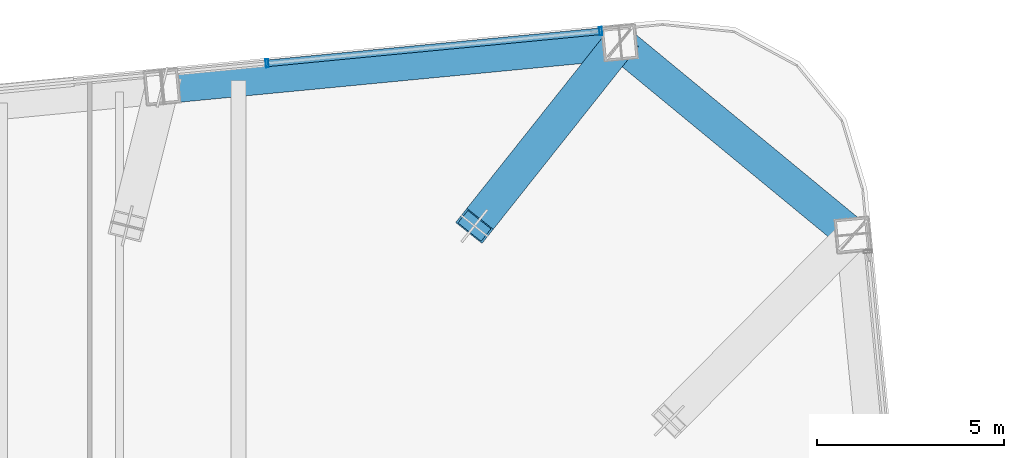
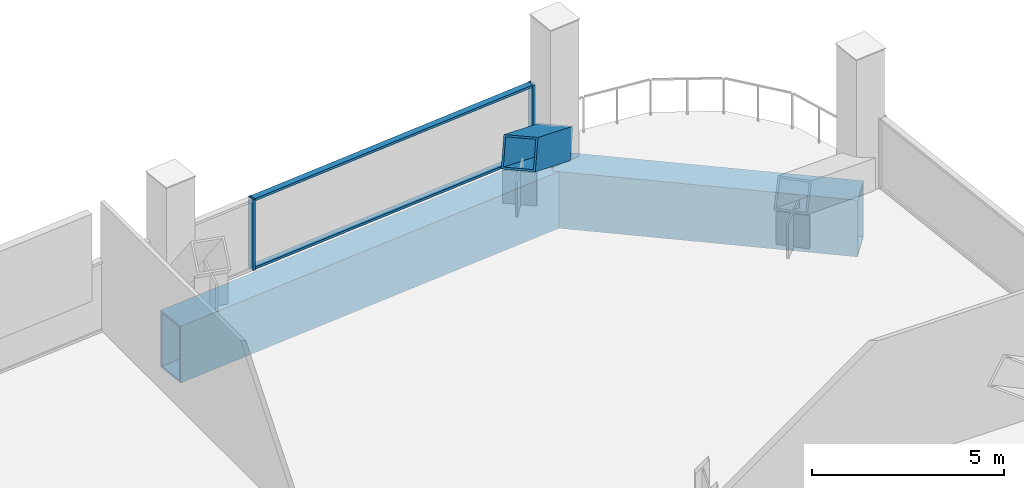
# One storey, part 20 of 30: 5 members, 2 beams, 1 element without a shape of its own.
"""IFC4 building model written with IfcOpenShell, lengths in metres."""

from ifc_helpers import new_model, si_unit, direction, frame, origin, origin_2d, place, context, subcontext, project, spatial, hollow_rectangle, extrude, material, layer, layer_set, material_profile, profile_set, type_object, element, aggregate, save


model = new_model("IFC4")

# Units and contexts
model_context = context("Model", 3, precision=1e-05, world=origin(), true_north=direction((0.0, 1.0)))
body_context = subcontext(model_context, "Body", "Model", "MODEL_VIEW")
ifc_project = project(units=[si_unit("LENGTHUNIT", "METRE"), si_unit("AREAUNIT", "SQUARE_METRE"), si_unit("VOLUMEUNIT", "CUBIC_METRE"), si_unit("PLANEANGLEUNIT", "RADIAN"), si_unit("MASSUNIT", "GRAM", prefix="KILO")], contexts=[model_context])

# Site, building, storey
site_placement = place(None, origin())
site = spatial("IfcSite", under=ifc_project, at=site_placement, CompositionType="ELEMENT")
building_placement = place(site_placement, origin())
building = spatial("IfcBuilding", under=site, at=building_placement, Name="Qhalaya Broadcast Tower", CompositionType="ELEMENT")
storey_placement = place(building_placement, frame((0.0, 0.0, 96.89990234375)))
storey = spatial("IfcBuildingStorey", under=building, at=storey_placement, Name="L28", CompositionType="ELEMENT", Elevation=96.89990234375)

# Beams
ifc_material_1 = material(Name="Structural Steel ASTM A572 Grade 50", Category="steel")
ifc_material_profile_1 = material_profile(ifc_material_1, hollow_rectangle(XDim=0.89990234375, YDim=1.800048828125, WallThickness=0.06005859375, at=origin_2d()), Name="BOX 900x1800x60")
ifc_profile_set_1 = profile_set([ifc_material_profile_1], Name="Structural Steel ASTM A572 Grade 50")
beam_type = type_object("IfcBeamType", Name="Block Cantilever Transfer Box Girder TG1", PredefinedType="USERDEFINED", material=ifc_profile_set_1)
beam_1_placement = place(storey_placement, frame((25.765380859375, 24.165283203125, -1.119873046875), z_axis=(-0.771633771695, 0.636067073806, 0.0), x_axis=(-0.636067073806, -0.771633771695, 0.0)))
element("IfcBeam", 1, at=beam_1_placement, inside=storey, type_object=beam_type, Name="L28 TG1 L28-SPR-08", ObjectType="GIRDER", PredefinedType="USERDEFINED", context=body_context, shape_type="SweptSolid", body=[
    extrude(hollow_rectangle(XDim=0.89990234375, YDim=1.800048828125, WallThickness=0.06005859375, at=origin_2d()), origin(), (0.0, 0.0, 1.0), 8.060791015625),
])
beam_2_placement = place(storey_placement, frame((19.54541015625, 29.29248046875, -1.119873046875), z_axis=(-0.995397535354, -0.095831866369, 0.0), x_axis=(0.095831866369, -0.995397535354, 0.0)))
element("IfcBeam", 2, at=beam_2_placement, inside=storey, type_object=beam_type, Name="L28 TG1 L28-SPR-09", ObjectType="GIRDER", PredefinedType="USERDEFINED", context=body_context, shape_type="SweptSolid", body=[
    extrude(hollow_rectangle(XDim=0.89990234375, YDim=1.800048828125, WallThickness=0.06005859375, at=origin_2d()), origin(), (0.0, 0.0, 1.0), 12.2666015625),
])

# Member
ifc_material_profile_2 = material_profile(ifc_material_1, hollow_rectangle(XDim=0.89990234375, YDim=0.89990234375, WallThickness=0.054931640625, at=origin_2d()), Name="BOX 900x900x55")
ifc_profile_set_2 = profile_set([ifc_material_profile_2], Name="Structural Steel ASTM A572 Grade 50")
member_type_1 = type_object("IfcMemberType", Name="Heavy Exoskeleton Transfer Strut RK1", PredefinedType="BRACE", material=ifc_profile_set_2)
member_1_placement = place(storey_placement, frame((19.54541015625, 29.29248046875, 0.389892578125), z_axis=(-0.524759694602, -0.661123165702, 0.53623075508), x_axis=(0.783254998289, -0.621700577171, 0.0)))
element("IfcMember", 3, at=member_1_placement, inside=storey, type_object=member_type_1, Name="L28 Inclined Exoskeleton Transfer Strut 09", PredefinedType="BRACE", context=body_context, shape_type="SweptSolid", body=[
    extrude(hollow_rectangle(XDim=0.89990234375, YDim=0.89990234375, WallThickness=0.054931640625, at=origin_2d()), origin(), (0.0, 0.0, 1.0), 7.38525390625),
])

# Curtain wall, members
ifc_material_2 = material(Name="Fired Architectural Terracotta", Category="masonry")
ifc_layer = layer(ifc_material_2, 0.219970703125, Name="Fired Architectural Terracotta")
ifc_layer_set = layer_set([ifc_layer], Name="Fired Architectural Terracotta")
curtain_wall_type = type_object("IfcCurtainWallType", Name="Block-Cap Unitised Terracotta Spandrel Wall CW-07", PredefinedType="NOTDEFINED", material=ifc_layer_set)
curtain_wall_placement = place(storey_placement, origin())
curtain_wall = element("IfcCurtainWall", 4, at=curtain_wall_placement, inside=storey, type_object=curtain_wall_type, Name="L28 Unitised Curtain Wall L28-CW-N", PredefinedType="NOTDEFINED")
ifc_material_3 = material(Name="Anodised Aluminium 6063-T6", Category="aluminium")
ifc_material_profile_3 = material_profile(ifc_material_3, hollow_rectangle(XDim=0.074951171875, YDim=0.219970703125, WallThickness=0.00390625, at=origin_2d()), Name="ALU-MUL 75x220x4")
ifc_profile_set_3 = profile_set([ifc_material_profile_3], Name="Anodised Aluminium 6063-T6")
member_type_2 = type_object("IfcMemberType", Name="Unitised Curtain-Wall Mullion M01", PredefinedType="MULLION", material=ifc_profile_set_3)
member_2_placement = place(storey_placement, frame((10.13525390625, 28.748291015625, 0.0), z_axis=(0.0, 0.0, 1.0), x_axis=(0.995396096278, 0.095846812756, 0.0)))
member_2 = element("IfcMember", 5, at=member_2_placement, type_object=member_type_2, Name="CW-07 mullion 4", PredefinedType="MULLION", context=body_context, shape_type="SweptSolid", body=[
    extrude(hollow_rectangle(XDim=0.074951171875, YDim=0.219970703125, WallThickness=0.00390625, at=origin_2d()), origin(), (0.0, 0.0, 1.0), 2.25),
])
member_3_placement = place(storey_placement, frame((19.03759765625, 29.60546875, 0.0), z_axis=(0.0, 0.0, 1.0), x_axis=(0.995396096278, 0.095846812756, 0.0)))
member_3 = element("IfcMember", 6, at=member_3_placement, type_object=member_type_2, Name="CW-07 mullion 5", PredefinedType="MULLION", context=body_context, shape_type="SweptSolid", body=[
    extrude(hollow_rectangle(XDim=0.074951171875, YDim=0.219970703125, WallThickness=0.00390625, at=origin_2d()), origin(), (0.0, 0.0, 1.0), 2.25),
])
ifc_material_profile_4 = material_profile(ifc_material_3, hollow_rectangle(XDim=0.074951171875, YDim=0.179931640625, WallThickness=0.00390625, at=origin_2d()), Name="ALU-TRN 75x180x4")
ifc_profile_set_4 = profile_set([ifc_material_profile_4], Name="Anodised Aluminium 6063-T6")
member_type_3 = type_object("IfcMemberType", Name="Unitised Curtain-Wall Transom T01", PredefinedType="USERDEFINED", material=ifc_profile_set_4)
member_4_placement = place(storey_placement, frame((10.172607421875, 28.751708984375, 0.03759765625), z_axis=(0.99539519872, 0.095856133689, 0.0), x_axis=(0.0, 0.0, 1.0)))
member_4 = element("IfcMember", 7, at=member_4_placement, type_object=member_type_3, Name="CW-07 transom 4.1", ObjectType="TRANSOM", PredefinedType="USERDEFINED", context=body_context, shape_type="SweptSolid", body=[
    extrude(hollow_rectangle(XDim=0.074951171875, YDim=0.179931640625, WallThickness=0.00390625, at=origin_2d()), origin(), (0.0, 0.0, 1.0), 8.868408203125),
])
member_5_placement = place(storey_placement, frame((10.172607421875, 28.751708984375, 2.212646484375), z_axis=(0.99539519872, 0.095856133689, 0.0), x_axis=(0.0, 0.0, 1.0)))
member_5 = element("IfcMember", 8, at=member_5_placement, type_object=member_type_3, Name="CW-07 transom 4.2", ObjectType="TRANSOM", PredefinedType="USERDEFINED", context=body_context, shape_type="SweptSolid", body=[
    extrude(hollow_rectangle(XDim=0.074951171875, YDim=0.179931640625, WallThickness=0.00390625, at=origin_2d()), origin(), (0.0, 0.0, 1.0), 8.868408203125),
])
aggregate(curtain_wall, [member_2, member_3, member_4, member_5])

save(model, "model.ifc")
